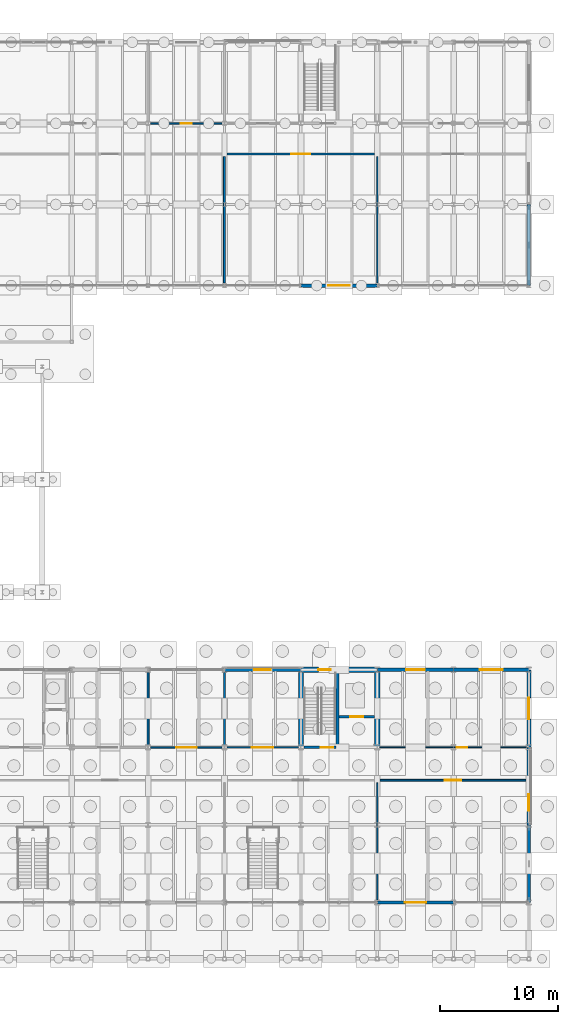
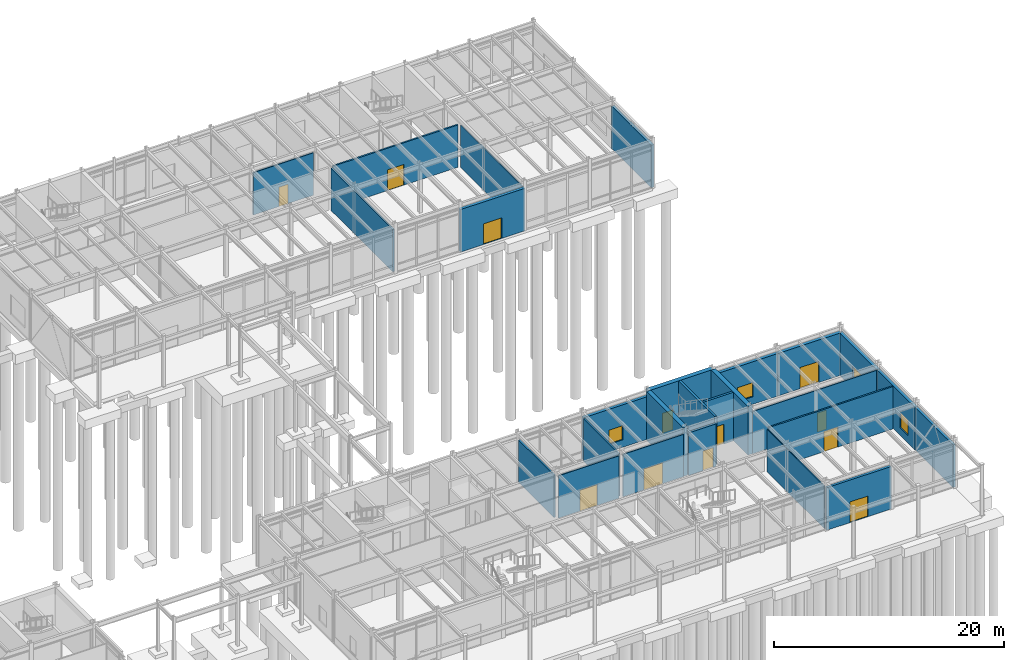
# One storey, part 74 of 82: 26 walls, 12 doors, 4 windows, 16 openings.
"""IFC4 building model written with IfcOpenShell, lengths in metres."""

import ifcopenshell
import ifcopenshell.guid

model = None  # the IFC model being written
_history = None  # IfcOwnerHistory: only IFC2X3 demands one
_inside = {}  # id of a spatial element -> (the spatial element, [elements in it])
_under = {}  # id of a project, library or spatial element -> (it, [spatial elements below it])
_declared = {}  # id of a project -> (the project, [libraries it declares])
_typed = {}  # id of a type object -> (the type object, [elements of that type])
_made_of = {}  # id of a material, layer set ... -> (it, [elements and type objects made of it])


def new_model(schema):
    """Start an empty IFC model of exactly this schema.

    Asked for "IFC4X3", IfcOpenShell would pick the latest addendum, in which some entities
    have other attributes; the version numbers below select the first issue.
    IFC2X3 requires an IfcOwnerHistory on every rooted entity: one is made here for all.
    """
    global model, _history
    if schema == "IFC4X3":
        model = ifcopenshell.file(schema_version=(4, 3, 0, 0))
    else:
        model = ifcopenshell.file(schema=schema)
    _inside.clear()
    _under.clear()
    _declared.clear()
    _typed.clear()
    _made_of.clear()
    _history = None
    if model.schema == "IFC2X3":
        org = make("IfcOrganization", Name="unknown")
        user = make(
            "IfcPersonAndOrganization",
            ThePerson=make("IfcPerson", FamilyName="unknown"),
            TheOrganization=org,
        )
        app = make(
            "IfcApplication",
            ApplicationDeveloper=org,
            Version="unknown",
            ApplicationFullName="unknown",
            ApplicationIdentifier="unknown",
        )
        _history = make(
            "IfcOwnerHistory",
            OwningUser=user,
            OwningApplication=app,
            ChangeAction="ADDED",
            CreationDate=0,
        )
    return model


def make(cls, **values):
    """One entity of the class cls with the attributes given. An attribute that is None is left unset."""
    return model.create_entity(
        cls, **{name: value for name, value in values.items() if value is not None}
    )


def rooted(cls, **values):
    """An entity with a GlobalId (a new one), such as an element, a storey or a relation."""
    return make(cls, GlobalId=ifcopenshell.guid.new(), OwnerHistory=_history, **values)


def si_unit(unit_type, name, prefix=None):
    """IfcSIUnit, for example si_unit("LENGTHUNIT", "METRE", prefix="MILLI")."""
    return make("IfcSIUnit", UnitType=unit_type, Prefix=prefix, Name=name)


def assignment(units):
    """IfcUnitAssignment: the units of a project."""
    return None if units is None else make("IfcUnitAssignment", Units=units)


def point(xyz):
    """IfcCartesianPoint."""
    return None if xyz is None else make("IfcCartesianPoint", Coordinates=xyz)


def direction(xyz):
    """IfcDirection."""
    return None if xyz is None else make("IfcDirection", DirectionRatios=xyz)


def frame(location, z_axis=None, x_axis=None):
    """IfcAxis2Placement3D, a coordinate frame: its origin and axes. An axis left out is left unset."""
    return make(
        "IfcAxis2Placement3D",
        Location=point(location),
        Axis=direction(z_axis),
        RefDirection=direction(x_axis),
    )


def frame_2d(location, x_axis=None):
    """IfcAxis2Placement2D, a coordinate frame in the plane: its origin and x axis."""
    return make(
        "IfcAxis2Placement2D", Location=point(location), RefDirection=direction(x_axis)
    )


def origin():
    """The frame at (0, 0, 0) with its axes left unset."""
    return frame((0.0, 0.0, 0.0))


def place(relative_to, where):
    """IfcLocalPlacement: puts the frame where relative to a parent placement (None: the world)."""
    return make(
        "IfcLocalPlacement", PlacementRelTo=relative_to, RelativePlacement=where
    )


def context(
    kind, dimensions, precision=None, world=None, true_north=None, identifier=None
):
    """IfcGeometricRepresentationContext, for example the 3D "Model" context."""
    return make(
        "IfcGeometricRepresentationContext",
        ContextIdentifier=identifier,
        ContextType=kind,
        CoordinateSpaceDimension=dimensions,
        Precision=precision,
        WorldCoordinateSystem=world,
        TrueNorth=true_north,
    )


def subcontext(parent, identifier, kind, view, scale=None):
    """IfcGeometricRepresentationSubContext, for example "Body" below "Model"."""
    return make(
        "IfcGeometricRepresentationSubContext",
        ContextIdentifier=identifier,
        ContextType=kind,
        ParentContext=parent,
        TargetScale=scale,
        TargetView=view,
    )


def project(units=None, contexts=None):
    """IfcProject with its units and contexts."""
    return rooted(
        "IfcProject",
        Name="project",
        RepresentationContexts=contexts,
        UnitsInContext=assignment(units),
    )


def spatial(cls, under=None, at=None, **own):
    """A site, building, storey or space (cls), placed at a placement, below another one or the project."""
    s = rooted(cls, ObjectPlacement=at, **own)
    if under is not None:
        _under.setdefault(under.id(), (under, []))[1].append(s)
    return s


def profile(cls, at=None, kind="AREA", **sizes):
    """A parametric profile (cls). Its sizes go by their IFC names, for example OverallWidth=200.0."""
    return make(cls, ProfileType=kind, Position=at, **sizes)


def rectangle(**sizes):
    """IfcRectangleProfileDef."""
    return profile("IfcRectangleProfileDef", **sizes)


def extrude(swept, where, along, depth):
    """IfcExtrudedAreaSolid: the profile swept, set in the frame where, extruded along a direction by depth."""
    return make(
        "IfcExtrudedAreaSolid",
        SweptArea=swept,
        Position=where,
        ExtrudedDirection=direction(along),
        Depth=depth,
    )


def shape(context_of_items, identifier, shape_type, items):
    """IfcShapeRepresentation: the items that make up one representation, for example the "Body"."""
    return make(
        "IfcShapeRepresentation",
        ContextOfItems=context_of_items,
        RepresentationIdentifier=identifier,
        RepresentationType=shape_type,
        Items=items,
    )


def material(Name=None, Category=None):
    """IfcMaterial."""
    return make("IfcMaterial", Name=Name, Category=Category)


def layer(
    of_material, thickness, ventilated=None, Name=None, Category=None, Priority=None
):
    """IfcMaterialLayer: one layer of a wall or slab, of a material (None: an air gap)."""
    return make(
        "IfcMaterialLayer",
        Material=of_material,
        LayerThickness=thickness,
        IsVentilated=ventilated,
        Name=Name,
        Category=Category,
        Priority=Priority,
    )


def layer_set(layers, Name=None):
    """IfcMaterialLayerSet."""
    return make("IfcMaterialLayerSet", MaterialLayers=layers, LayerSetName=Name)


def made_of(thing, what):
    """Note that an element or type object is made of a material, layer set ...; save() writes the relation."""
    if what is not None:
        _made_of.setdefault(what.id(), (what, []))[1].append(thing)
    return thing


def type_object(cls, material=None, **own):
    """A type object (cls), such as IfcWallType, which elements share."""
    return made_of(rooted(cls, **own), material)


def element(
    cls,
    number,
    at=None,
    inside=None,
    cuts=None,
    type_object=None,
    material=None,
    context=None,
    identifier="Body",
    shape_type=None,
    held_by="IfcProductDefinitionShape",
    body=None,
    shapes=None,
    **own,
):
    """One element of the class cls, such as IfcWall. Its Tag is "e" and its number.

    at: its placement. inside: the storey or other place that contains it. cuts: it is an
    opening in that element (IfcRelVoidsElement). A single representation is given by context,
    identifier, shape_type and body (its items); several are given by shapes. held_by: the class
    of the entity that holds the representations. save() writes the other relations.
    """
    e = rooted(cls, Tag="e%d" % number, ObjectPlacement=at, **own)
    if body is not None:
        shapes = [shape(context, identifier, shape_type, body)]
    if shapes is not None:
        e.Representation = make(held_by, Representations=shapes)
    if inside is not None:
        _inside.setdefault(inside.id(), (inside, []))[1].append(e)
    if cuts is not None:
        rooted(
            "IfcRelVoidsElement", RelatingBuildingElement=cuts, RelatedOpeningElement=e
        )
    if type_object is not None:
        _typed.setdefault(type_object.id(), (type_object, []))[1].append(e)
    return made_of(e, material)


def fill(opening, filler):
    """IfcRelFillsElement: the door or window that sits in an opening."""
    return rooted(
        "IfcRelFillsElement",
        RelatingOpeningElement=opening,
        RelatedBuildingElement=filler,
    )


def aggregate(whole, parts):
    """IfcRelAggregates: a whole, such as a stair, and the parts it consists of."""
    return rooted("IfcRelAggregates", RelatingObject=whole, RelatedObjects=parts)


def save(model, path):
    """Write the relations noted so far, then the file.

    IfcRelAggregates (storeys below a building ...), IfcRelContainedInSpatialStructure (elements
    in a storey), IfcRelDefinesByType, IfcRelAssociatesMaterial and IfcRelDeclares: one each for
    every whole, place, type object, material and project.
    """
    for whole, parts in _under.values():
        aggregate(whole, parts)
    for where, things in _inside.values():
        rooted(
            "IfcRelContainedInSpatialStructure",
            RelatedElements=things,
            RelatingStructure=where,
        )
    for kind, things in _typed.values():
        rooted("IfcRelDefinesByType", RelatedObjects=things, RelatingType=kind)
    for what, things in _made_of.values():
        rooted("IfcRelAssociatesMaterial", RelatedObjects=things, RelatingMaterial=what)
    for by, libraries in _declared.values():
        rooted("IfcRelDeclares", RelatingContext=by, RelatedDefinitions=libraries)
    model.write(path)


model = new_model("IFC4")

# Units and contexts
model_context = context("Model", 3, precision=1e-05, world=origin(), true_north=direction((0.0, 1.0)))
body_context = subcontext(model_context, "Body", "Model", "MODEL_VIEW")
ifc_project = project(units=[si_unit("LENGTHUNIT", "METRE"), si_unit("AREAUNIT", "SQUARE_METRE"), si_unit("VOLUMEUNIT", "CUBIC_METRE"), si_unit("PLANEANGLEUNIT", "RADIAN"), si_unit("MASSUNIT", "GRAM", prefix="KILO")], contexts=[model_context])

# Site, building, storey
site_placement = place(None, origin())
site = spatial("IfcSite", under=ifc_project, at=site_placement, CompositionType="ELEMENT")
building_placement = place(site_placement, origin())
building = spatial("IfcBuilding", under=site, at=building_placement, Name="Trelmorton Wharf Fire Station", CompositionType="ELEMENT")
storey_placement = place(building_placement, origin())
storey = spatial("IfcBuildingStorey", under=building, at=storey_placement, Name="L00", CompositionType="ELEMENT", Elevation=0.0)

# Wall, opening, door
ifc_material_1 = material(Name="Precast concrete 45 MPa", Category="concrete")
ifc_layer_1 = layer(ifc_material_1, 0.25)
ifc_layer_set_1 = layer_set([ifc_layer_1], Name="Precast concrete 45 MPa")
wall_type_1 = type_object("IfcWallType", Name="EW_PREC_250", PredefinedType="SOLIDWALL", material=ifc_layer_set_1)
wall_1_placement = place(storey_placement, frame((155.9951171875, 7.800048828125, 0.0), z_axis=(0.0, 0.0, 1.0), x_axis=(-1.0, 0.0, 0.0)))
wall_1 = element("IfcWall", 1, at=wall_1_placement, inside=storey, type_object=wall_type_1, Name="EW-V5-L00-0067", PredefinedType="SOLIDWALL", context=body_context, shape_type="SweptSolid", body=[
    extrude(rectangle(XDim=6.490234375, YDim=0.25, at=frame_2d((3.2451171875, 0.0))), origin(), (0.0, 0.0, 1.0), 4.52001953125),
])
opening_1_placement = place(wall_1_placement, frame((2.3349609375, 0.0, 0.0)))
opening_1 = element("IfcOpeningElement", 2, at=opening_1_placement, cuts=wall_1, Name="Opening E-012", PredefinedType="OPENING", context=body_context, shape_type="SweptSolid", body=[
    extrude(rectangle(XDim=1.820068359375, YDim=2.199951171875, at=frame_2d((0.91015625, 1.10009765625))), frame((0.0, 0.135009765625, 0.0), z_axis=(0.0, -1.0, 0.0), x_axis=(1.0, 0.0, 0.0)), (0.0, 0.0, 1.0), 0.27001953125),
])
ifc_material_2 = material(Name="Anodised aluminium AW-6063", Category="aluminium")
door_type_1 = type_object("IfcDoorType", Name="DR_EXT_DBL_182", OperationType="DOUBLE_DOOR_SINGLE_SWING", PredefinedType="DOOR", material=ifc_material_2)
door_1_placement = place(opening_1_placement, origin())
door_1 = element("IfcDoor", 3, at=door_1_placement, inside=storey, type_object=door_type_1, Name="Final Exit Door E-012", OperationType="DOUBLE_DOOR_SINGLE_SWING", OverallHeight=2.199951171875, OverallWidth=1.820068359375, PredefinedType="DOOR", context=body_context, shape_type="SweptSolid", body=[
    extrude(rectangle(XDim=1.820068359375, YDim=2.199951171875, at=frame_2d((0.91015625, 1.10009765625))), frame((0.0, 0.02490234375, 0.0), z_axis=(0.0, -1.0, 0.0), x_axis=(1.0, 0.0, 0.0)), (0.0, 0.0, 1.0), 0.050048828125),
])
fill(opening_1, door_1)

# Wall
wall_2_placement = place(storey_placement, frame((162.39990234375, 14.39501953125, 0.0), z_axis=(0.0, 0.0, 1.0), x_axis=(0.0, -1.0, 0.0)))
element("IfcWall", 4, at=wall_2_placement, inside=storey, type_object=wall_type_1, Name="EW-V5-L00-0073", PredefinedType="SOLIDWALL", context=body_context, shape_type="SweptSolid", body=[
    extrude(rectangle(XDim=6.590087890625, YDim=0.25, at=frame_2d((3.294921875, 0.0))), origin(), (0.0, 0.0, 1.0), 4.52001953125),
])

# Wall, opening, window
ifc_layer_2 = layer(ifc_material_1, 0.2900390625)
ifc_layer_set_2 = layer_set([ifc_layer_2], Name="Precast concrete 45 MPa")
wall_type_2 = type_object("IfcWallType", Name="EW_TERR_290", PredefinedType="SOLIDWALL", material=ifc_layer_set_2)
wall_3_placement = place(storey_placement, frame((136.5048828125, 27.60009765625, 0.0), z_axis=(0.0, 0.0, 1.0), x_axis=(1.0, 0.0, 0.0)))
wall_3 = element("IfcWall", 5, at=wall_3_placement, inside=storey, type_object=wall_type_2, Name="EW-V5-L00-0069", PredefinedType="SOLIDWALL", context=body_context, shape_type="SweptSolid", body=[
    extrude(rectangle(XDim=6.490234375, YDim=0.2900390625, at=frame_2d((3.2451171875, 0.0))), origin(), (0.0, 0.0, 1.0), 4.52001953125),
])
opening_2_placement = place(wall_3_placement, frame((2.544921875, 0.0, 0.800048828125)))
opening_2 = element("IfcOpeningElement", 6, at=opening_2_placement, cuts=wall_3, Name="Opening W35", PredefinedType="OPENING", context=body_context, shape_type="SweptSolid", body=[
    extrude(rectangle(XDim=1.39990234375, YDim=1.5, at=frame_2d((0.699951171875, 0.75))), frame((0.0, 0.155029296875, 0.0), z_axis=(0.0, -1.0, 0.0), x_axis=(1.0, 0.0, 0.0)), (0.0, 0.0, 1.0), 0.31005859375),
])
ifc_material_3 = material(Name="Tempered low-E double glazing", Category="glass")
window_type_1 = type_object("IfcWindowType", Name="WIN_W35", PartitioningType="SINGLE_PANEL", PredefinedType="WINDOW", material=ifc_material_3)
window_1_placement = place(opening_2_placement, origin())
window_1 = element("IfcWindow", 7, at=window_1_placement, inside=storey, type_object=window_type_1, Name="WN-V5-L00-0024", OverallHeight=1.5, OverallWidth=1.39990234375, PartitioningType="SINGLE_PANEL", PredefinedType="WINDOW", context=body_context, shape_type="SweptSolid", body=[
    extrude(rectangle(XDim=1.39990234375, YDim=1.5, at=frame_2d((0.699951171875, 0.75))), frame((0.0, 0.030029296875, 0.0), z_axis=(0.0, -1.0, 0.0), x_axis=(1.0, 0.0, 0.0)), (0.0, 0.0, 1.0), 0.06005859375),
])
fill(opening_2, window_1)

wall_4_placement = place(storey_placement, frame((162.39990234375, 20.9951171875, 0.0), z_axis=(0.0, 0.0, 1.0), x_axis=(0.0, -1.0, 0.0)))
wall_4 = element("IfcWall", 8, at=wall_4_placement, inside=storey, type_object=wall_type_2, Name="EW-V5-L00-0075", PredefinedType="SOLIDWALL", context=body_context, shape_type="SweptSolid", body=[
    extrude(rectangle(XDim=6.590087890625, YDim=0.2900390625, at=frame_2d((3.294921875, 0.0))), origin(), (0.0, 0.0, 1.0), 4.52001953125),
])
opening_3_placement = place(wall_4_placement, frame((3.9775390625, 0.0, 0.800048828125)))
opening_3 = element("IfcOpeningElement", 9, at=opening_3_placement, cuts=wall_4, Name="Opening W39", PredefinedType="OPENING", context=body_context, shape_type="SweptSolid", body=[
    extrude(rectangle(XDim=1.39990234375, YDim=1.64990234375, at=frame_2d((0.699951171875, 0.824951171875))), frame((0.0, 0.155029296875, 0.0), z_axis=(0.0, -1.0, 0.0), x_axis=(1.0, 0.0, 0.0)), (0.0, 0.0, 1.0), 0.31005859375),
])
window_type_2 = type_object("IfcWindowType", Name="WIN_W39", PartitioningType="SINGLE_PANEL", PredefinedType="WINDOW", material=ifc_material_3)
window_2_placement = place(opening_3_placement, origin())
window_2 = element("IfcWindow", 10, at=window_2_placement, inside=storey, type_object=window_type_2, Name="WN-V5-L00-0028", OverallHeight=1.64990234375, OverallWidth=1.39990234375, PartitioningType="SINGLE_PANEL", PredefinedType="WINDOW", context=body_context, shape_type="SweptSolid", body=[
    extrude(rectangle(XDim=1.39990234375, YDim=1.64990234375, at=frame_2d((0.699951171875, 0.824951171875))), frame((0.0, 0.030029296875, 0.0), z_axis=(0.0, -1.0, 0.0), x_axis=(1.0, 0.0, 0.0)), (0.0, 0.0, 1.0), 0.06005859375),
])
fill(opening_3, window_2)

# Wall, opening, door
wall_5_placement = place(storey_placement, frame((149.4951171875, 60.300048828125, 0.0), z_axis=(0.0, 0.0, 1.0), x_axis=(-1.0, 0.0, 0.0)))
wall_5 = element("IfcWall", 11, at=wall_5_placement, inside=storey, type_object=wall_type_2, Name="EW-V4-L00-0201", PredefinedType="SOLIDWALL", context=body_context, shape_type="SweptSolid", body=[
    extrude(rectangle(XDim=6.490234375, YDim=0.2900390625, at=frame_2d((3.2451171875, 0.0))), origin(), (0.0, 0.0, 1.0), 4.52001953125),
])
opening_4_placement = place(wall_5_placement, frame((2.3349609375, 0.0, 0.0)))
opening_4 = element("IfcOpeningElement", 12, at=opening_4_placement, cuts=wall_5, Name="Opening E-032", PredefinedType="OPENING", context=body_context, shape_type="SweptSolid", body=[
    extrude(rectangle(XDim=1.820068359375, YDim=2.199951171875, at=frame_2d((0.91015625, 1.10009765625))), frame((0.0, 0.155029296875, 0.0), z_axis=(0.0, -1.0, 0.0), x_axis=(1.0, 0.0, 0.0)), (0.0, 0.0, 1.0), 0.31005859375),
])
door_2_placement = place(opening_4_placement, origin())
door_2 = element("IfcDoor", 13, at=door_2_placement, inside=storey, type_object=door_type_1, Name="Final Exit Door E-032", OperationType="DOUBLE_DOOR_SINGLE_SWING", OverallHeight=2.199951171875, OverallWidth=1.820068359375, PredefinedType="DOOR", context=body_context, shape_type="SweptSolid", body=[
    extrude(rectangle(XDim=1.820068359375, YDim=2.199951171875, at=frame_2d((0.91015625, 1.10009765625))), frame((0.0, 0.02490234375, 0.0), z_axis=(0.0, -1.0, 0.0), x_axis=(1.0, 0.0, 0.0)), (0.0, 0.0, 1.0), 0.050048828125),
])
fill(opening_4, door_2)

# Wall
wall_6_placement = place(storey_placement, frame((162.39990234375, 67.195068359375, 0.0), z_axis=(0.0, 0.0, 1.0), x_axis=(0.0, -1.0, 0.0)))
element("IfcWall", 14, at=wall_6_placement, inside=storey, type_object=wall_type_2, Name="EW-V4-L00-0207", PredefinedType="SOLIDWALL", context=body_context, shape_type="SweptSolid", body=[
    extrude(rectangle(XDim=6.89013671875, YDim=0.2900390625, at=frame_2d((3.445068359375, 0.0))), origin(), (0.0, 0.0, 1.0), 4.52001953125),
])

# Wall, opening, window
ifc_layer_3 = layer(ifc_material_1, 0.31005859375)
ifc_layer_set_3 = layer_set([ifc_layer_3], Name="Precast concrete 45 MPa")
wall_type_3 = type_object("IfcWallType", Name="EW_TERR_310", PredefinedType="SOLIDWALL", material=ifc_layer_set_3)
wall_7_placement = place(storey_placement, frame((149.5048828125, 27.60009765625, 0.0), z_axis=(0.0, 0.0, 1.0), x_axis=(1.0, 0.0, 0.0)))
wall_7 = element("IfcWall", 15, at=wall_7_placement, inside=storey, type_object=wall_type_3, Name="EW-V5-L00-0070", PredefinedType="SOLIDWALL", context=body_context, shape_type="SweptSolid", body=[
    extrude(rectangle(XDim=6.490234375, YDim=0.31005859375, at=frame_2d((3.2451171875, 0.0))), origin(), (0.0, 0.0, 1.0), 4.52001953125),
])
opening_5_placement = place(wall_7_placement, frame((2.469970703125, 0.0, 0.800048828125)))
opening_5 = element("IfcOpeningElement", 16, at=opening_5_placement, cuts=wall_7, Name="Opening W36", PredefinedType="OPENING", context=body_context, shape_type="SweptSolid", body=[
    extrude(rectangle(XDim=1.550048828125, YDim=1.5, at=frame_2d((0.77490234375, 0.75))), frame((0.0, 0.1650390625, 0.0), z_axis=(0.0, -1.0, 0.0), x_axis=(1.0, 0.0, 0.0)), (0.0, 0.0, 1.0), 0.330078125),
])
window_type_3 = type_object("IfcWindowType", Name="WIN_W36", PartitioningType="SINGLE_PANEL", PredefinedType="WINDOW", material=ifc_material_3)
window_3_placement = place(opening_5_placement, origin())
window_3 = element("IfcWindow", 17, at=window_3_placement, inside=storey, type_object=window_type_3, Name="WN-V5-L00-0025", OverallHeight=1.5, OverallWidth=1.550048828125, PartitioningType="SINGLE_PANEL", PredefinedType="WINDOW", context=body_context, shape_type="SweptSolid", body=[
    extrude(rectangle(XDim=1.550048828125, YDim=1.5, at=frame_2d((0.77490234375, 0.75))), frame((0.0, 0.030029296875, 0.0), z_axis=(0.0, -1.0, 0.0), x_axis=(1.0, 0.0, 0.0)), (0.0, 0.0, 1.0), 0.06005859375),
])
fill(opening_5, window_3)

# Wall, opening, door
ifc_layer_4 = layer(ifc_material_1, 0.330078125)
ifc_layer_set_4 = layer_set([ifc_layer_4], Name="Precast concrete 45 MPa")
wall_type_4 = type_object("IfcWallType", Name="EW_TERR_330", PredefinedType="SOLIDWALL", material=ifc_layer_set_4)
wall_8_placement = place(storey_placement, frame((156.0048828125, 27.60009765625, 0.0), z_axis=(0.0, 0.0, 1.0), x_axis=(1.0, 0.0, 0.0)))
wall_8 = element("IfcWall", 18, at=wall_8_placement, inside=storey, type_object=wall_type_4, Name="EW-V5-L00-0071", PredefinedType="SOLIDWALL", context=body_context, shape_type="SweptSolid", body=[
    extrude(rectangle(XDim=6.39013671875, YDim=0.330078125, at=frame_2d((3.195068359375, 0.0))), origin(), (0.0, 0.0, 1.0), 4.52001953125),
])
opening_6_placement = place(wall_8_placement, frame((2.235107421875, 0.0, 0.0)))
opening_6 = element("IfcOpeningElement", 19, at=opening_6_placement, cuts=wall_8, Name="Opening E-014", PredefinedType="OPENING", context=body_context, shape_type="SweptSolid", body=[
    extrude(rectangle(XDim=1.919921875, YDim=2.25, at=frame_2d((0.9599609375, 1.125))), frame((0.0, 0.175048828125, 0.0), z_axis=(0.0, -1.0, 0.0), x_axis=(1.0, 0.0, 0.0)), (0.0, 0.0, 1.0), 0.35009765625),
])
door_type_2 = type_object("IfcDoorType", Name="DR_EXT_DBL_192", OperationType="DOUBLE_DOOR_SINGLE_SWING", PredefinedType="DOOR", material=ifc_material_2)
door_3_placement = place(opening_6_placement, origin())
door_3 = element("IfcDoor", 20, at=door_3_placement, inside=storey, type_object=door_type_2, Name="Final Exit Door E-014", OperationType="DOUBLE_DOOR_SINGLE_SWING", OverallHeight=2.25, OverallWidth=1.919921875, PredefinedType="DOOR", context=body_context, shape_type="SweptSolid", body=[
    extrude(rectangle(XDim=1.919921875, YDim=2.25, at=frame_2d((0.9599609375, 1.125))), frame((0.0, 0.02490234375, 0.0), z_axis=(0.0, -1.0, 0.0), x_axis=(1.0, 0.0, 0.0)), (0.0, 0.0, 1.0), 0.050048828125),
])
fill(opening_6, door_3)

# Wall, opening, window
wall_9_placement = place(storey_placement, frame((162.39990234375, 27.594970703125, 0.0), z_axis=(0.0, 0.0, 1.0), x_axis=(0.0, -1.0, 0.0)))
wall_9 = element("IfcWall", 21, at=wall_9_placement, inside=storey, type_object=wall_type_4, Name="EW-V5-L00-0077", PredefinedType="SOLIDWALL", context=body_context, shape_type="SweptSolid", body=[
    extrude(rectangle(XDim=6.590087890625, YDim=0.330078125, at=frame_2d((3.294921875, 0.0))), origin(), (0.0, 0.0, 1.0), 4.52001953125),
])
opening_7_placement = place(wall_9_placement, frame((2.3701171875, 0.0, 0.800048828125)))
opening_7 = element("IfcOpeningElement", 22, at=opening_7_placement, cuts=wall_9, Name="Opening W41", PredefinedType="OPENING", context=body_context, shape_type="SweptSolid", body=[
    extrude(rectangle(XDim=1.85009765625, YDim=1.550048828125, at=frame_2d((0.925048828125, 0.77490234375))), frame((0.0, 0.175048828125, 0.0), z_axis=(0.0, -1.0, 0.0), x_axis=(1.0, 0.0, 0.0)), (0.0, 0.0, 1.0), 0.35009765625),
])
window_type_4 = type_object("IfcWindowType", Name="WIN_W41", PartitioningType="DOUBLE_PANEL_VERTICAL", PredefinedType="WINDOW", material=ifc_material_3)
window_4_placement = place(opening_7_placement, origin())
window_4 = element("IfcWindow", 23, at=window_4_placement, inside=storey, type_object=window_type_4, Name="WN-V5-L00-0030", OverallHeight=1.550048828125, OverallWidth=1.85009765625, PartitioningType="DOUBLE_PANEL_VERTICAL", PredefinedType="WINDOW", context=body_context, shape_type="SweptSolid", body=[
    extrude(rectangle(XDim=1.85009765625, YDim=1.550048828125, at=frame_2d((0.925048828125, 0.77490234375))), frame((0.0, 0.030029296875, 0.0), z_axis=(0.0, -1.0, 0.0), x_axis=(1.0, 0.0, 0.0)), (0.0, 0.0, 1.0), 0.06005859375),
])
fill(opening_7, window_4)

# Wall
ifc_material_4 = material(Name="Gypsum plasterboard partition")
ifc_layer_5 = layer(ifc_material_4, 0.14990234375)
ifc_layer_set_5 = layer_set([ifc_layer_5], Name="Gypsum plasterboard partition")
wall_type_5 = type_object("IfcWallType", Name="IW_ACOU_150", PredefinedType="PARTITIONING", material=ifc_layer_set_5)
wall_10_placement = place(storey_placement, frame((136.5, 21.219970703125, 0.0), z_axis=(0.0, 0.0, 1.0), x_axis=(0.0, 1.0, 0.0)))
element("IfcWall", 24, at=wall_10_placement, inside=storey, type_object=wall_type_5, Name="IW-L00-0030", PredefinedType="PARTITIONING", context=body_context, shape_type="SweptSolid", body=[
    extrude(rectangle(XDim=6.159912109375, YDim=0.14990234375, at=frame_2d((3.080078125, 0.0))), origin(), (0.0, 0.0, 1.0), 4.5),
])

# Wall, opening, door
ifc_layer_6 = layer(ifc_material_4, 0.159912109375)
ifc_layer_set_6 = layer_set([ifc_layer_6], Name="Gypsum plasterboard partition")
wall_type_6 = type_object("IfcWallType", Name="IW_ACOU_160", PredefinedType="PARTITIONING", material=ifc_layer_set_6)
wall_11_placement = place(storey_placement, frame((149.719970703125, 18.199951171875, 0.0), z_axis=(0.0, 0.0, 1.0), x_axis=(1.0, 0.0, 0.0)))
wall_11 = element("IfcWall", 25, at=wall_11_placement, inside=storey, type_object=wall_type_6, Name="IW-L00-0022", PredefinedType="PARTITIONING", context=body_context, shape_type="SweptSolid", body=[
    extrude(rectangle(XDim=12.4599609375, YDim=0.159912109375, at=frame_2d((6.22998046875, 0.0))), origin(), (0.0, 0.0, 1.0), 4.5),
])
opening_8_placement = place(wall_11_placement, frame((5.52001953125, 0.0, 0.0)))
opening_8 = element("IfcOpeningElement", 26, at=opening_8_placement, cuts=wall_11, Name="Opening D-015", PredefinedType="OPENING", context=body_context, shape_type="SweptSolid", body=[
    extrude(rectangle(XDim=1.419921875, YDim=2.14990234375, at=frame_2d((0.7099609375, 1.074951171875))), frame((0.0, 0.08984375, 0.0), z_axis=(0.0, -1.0, 0.0), x_axis=(1.0, 0.0, 0.0)), (0.0, 0.0, 1.0), 0.179931640625),
])
ifc_material_5 = material(Name="Acoustic timber panelling", Category="wood")
door_type_3 = type_object("IfcDoorType", Name="DR_INT_142", OperationType="DOUBLE_DOOR_SINGLE_SWING", PredefinedType="DOOR", material=ifc_material_5)
door_4_placement = place(opening_8_placement, origin())
door_4 = element("IfcDoor", 27, at=door_4_placement, inside=storey, type_object=door_type_3, Name="Interior Door D-015", OperationType="DOUBLE_DOOR_SINGLE_SWING", OverallHeight=2.14990234375, OverallWidth=1.419921875, PredefinedType="DOOR", context=body_context, shape_type="SweptSolid", body=[
    extrude(rectangle(XDim=1.419921875, YDim=2.14990234375, at=frame_2d((0.7099609375, 1.074951171875))), frame((0.0, 0.02490234375, 0.0), z_axis=(0.0, -1.0, 0.0), x_axis=(1.0, 0.0, 0.0)), (0.0, 0.0, 1.0), 0.050048828125),
])
fill(opening_8, door_4)

# Wall
wall_12_placement = place(storey_placement, frame((130.0, 21.219970703125, 0.0), z_axis=(0.0, 0.0, 1.0), x_axis=(0.0, 1.0, 0.0)))
element("IfcWall", 28, at=wall_12_placement, inside=storey, type_object=wall_type_6, Name="IW-L00-0029", PredefinedType="PARTITIONING", context=body_context, shape_type="SweptSolid", body=[
    extrude(rectangle(XDim=6.159912109375, YDim=0.159912109375, at=frame_2d((3.080078125, 0.0))), origin(), (0.0, 0.0, 1.0), 4.5),
])

# Wall, opening, door
wall_13_placement = place(storey_placement, frame((136.719970703125, 71.5, 0.0), z_axis=(0.0, 0.0, 1.0), x_axis=(1.0, 0.0, 0.0)))
wall_13 = element("IfcWall", 29, at=wall_13_placement, inside=storey, type_object=wall_type_6, Name="IW-L00-0057", PredefinedType="PARTITIONING", context=body_context, shape_type="SweptSolid", body=[
    extrude(rectangle(XDim=12.56005859375, YDim=0.159912109375, at=frame_2d((6.280029296875, 0.0))), origin(), (0.0, 0.0, 1.0), 4.5),
])
opening_9_placement = place(wall_13_placement, frame((5.4599609375, 0.0, 0.0)))
opening_9 = element("IfcOpeningElement", 30, at=opening_9_placement, cuts=wall_13, Name="Opening D-038", PredefinedType="OPENING", context=body_context, shape_type="SweptSolid", body=[
    extrude(rectangle(XDim=1.639892578125, YDim=2.199951171875, at=frame_2d((0.81982421875, 1.10009765625))), frame((0.0, 0.08984375, 0.0), z_axis=(0.0, -1.0, 0.0), x_axis=(1.0, 0.0, 0.0)), (0.0, 0.0, 1.0), 0.179931640625),
])
door_type_4 = type_object("IfcDoorType", Name="DR_INT_164", OperationType="DOUBLE_DOOR_SINGLE_SWING", PredefinedType="DOOR", material=ifc_material_5)
door_5_placement = place(opening_9_placement, origin())
door_5 = element("IfcDoor", 31, at=door_5_placement, inside=storey, type_object=door_type_4, Name="Interior Door D-038", OperationType="DOUBLE_DOOR_SINGLE_SWING", OverallHeight=2.199951171875, OverallWidth=1.639892578125, PredefinedType="DOOR", context=body_context, shape_type="SweptSolid", body=[
    extrude(rectangle(XDim=1.639892578125, YDim=2.199951171875, at=frame_2d((0.81982421875, 1.10009765625))), frame((0.0, 0.02490234375, 0.0), z_axis=(0.0, -1.0, 0.0), x_axis=(1.0, 0.0, 0.0)), (0.0, 0.0, 1.0), 0.050048828125),
])
fill(opening_9, door_5)

# Wall
ifc_material_6 = material(Name="Concrete 40 MPa", Category="concrete")
ifc_layer_7 = layer(ifc_material_6, 0.219970703125)
ifc_layer_set_7 = layer_set([ifc_layer_7], Name="Concrete 40 MPa")
wall_type_7 = type_object("IfcWallType", Name="IW_CORE_220", PredefinedType="SOLIDWALL", material=ifc_layer_set_7)
wall_14_placement = place(storey_placement, frame((146.1201171875, 21.1201171875, 0.0), z_axis=(0.0, 0.0, 1.0), x_axis=(0.0, 1.0, 0.0)))
element("IfcWall", 32, at=wall_14_placement, inside=storey, type_object=wall_type_7, Name="IW-C4-DIV-L00", PredefinedType="SOLIDWALL", context=body_context, shape_type="SweptSolid", body=[
    extrude(rectangle(XDim=6.2548828125, YDim=0.219970703125, at=frame_2d((3.12744140625, 0.0))), origin(), (0.0, 0.0, 1.0), 5.159912109375),
])

# Wall, opening, door
wall_15_placement = place(storey_placement, frame((143.260009765625, 21.0, 0.0), z_axis=(0.0, 0.0, 1.0), x_axis=(1.0, 0.0, 0.0)))
wall_15 = element("IfcWall", 33, at=wall_15_placement, inside=storey, type_object=wall_type_7, Name="IW-C4-SF-L00", PredefinedType="SOLIDWALL", context=body_context, shape_type="SweptSolid", body=[
    extrude(rectangle(XDim=2.739990234375, YDim=0.219970703125, at=frame_2d((1.3701171875, 0.0))), origin(), (0.0, 0.0, 1.0), 4.52001953125),
])
opening_10_placement = place(wall_15_placement, frame((1.43994140625, 0.0, 0.0)))
opening_10 = element("IfcOpeningElement", 34, at=opening_10_placement, cuts=wall_15, Name="Opening FD-017", PredefinedType="OPENING", context=body_context, shape_type="SweptSolid", body=[
    extrude(rectangle(XDim=1.06005859375, YDim=2.10009765625, at=frame_2d((0.530029296875, 1.050048828125))), frame((0.0, 0.1201171875, 0.0), z_axis=(0.0, -1.0, 0.0), x_axis=(1.0, 0.0, 0.0)), (0.0, 0.0, 1.0), 0.239990234375),
])
ifc_material_7 = material(Name="Stainless steel 316 marine grade", Category="steel")
door_type_5 = type_object("IfcDoorType", Name="DR_FIRE_106", OperationType="NOTDEFINED", PredefinedType="DOOR", material=ifc_material_7)
door_6_placement = place(opening_10_placement, origin())
door_6 = element("IfcDoor", 35, at=door_6_placement, inside=storey, type_object=door_type_5, Name="Stair Fire Door FD-017", OperationType="SINGLE_SWING_RIGHT", OverallHeight=2.10009765625, OverallWidth=1.06005859375, PredefinedType="DOOR", context=body_context, shape_type="SweptSolid", body=[
    extrude(rectangle(XDim=1.06005859375, YDim=2.10009765625, at=frame_2d((0.530029296875, 1.050048828125))), frame((0.0, 0.02490234375, 0.0), z_axis=(0.0, -1.0, 0.0), x_axis=(1.0, 0.0, 0.0)), (0.0, 0.0, 1.0), 0.050048828125),
])
fill(opening_10, door_6)

wall_16_placement = place(storey_placement, frame((146.239990234375, 23.60009765625, 0.0), z_axis=(0.0, 0.0, 1.0), x_axis=(1.0, 0.0, 0.0)))
wall_16 = element("IfcWall", 36, at=wall_16_placement, inside=storey, type_object=wall_type_7, Name="IW-C4-LSH-L00", PredefinedType="SOLIDWALL", context=body_context, shape_type="SweptSolid", body=[
    extrude(rectangle(XDim=3.034912109375, YDim=0.219970703125, at=frame_2d((1.517578125, 0.0))), origin(), (0.0, 0.0, 1.0), 5.159912109375),
])
opening_11_placement = place(wall_16_placement, frame((0.967529296875, 0.0, 0.0)))
opening_11 = element("IfcOpeningElement", 37, at=opening_11_placement, cuts=wall_16, Name="Opening LD-017", PredefinedType="OPENING", context=body_context, shape_type="SweptSolid", body=[
    extrude(rectangle(XDim=1.10009765625, YDim=2.10009765625, at=frame_2d((0.550048828125, 1.050048828125))), frame((0.0, 0.1201171875, 0.0), z_axis=(0.0, -1.0, 0.0), x_axis=(1.0, 0.0, 0.0)), (0.0, 0.0, 1.0), 0.239990234375),
])
door_type_6 = type_object("IfcDoorType", Name="DR_LIFT_110", OperationType="DOUBLE_DOOR_SLIDING", PredefinedType="DOOR", material=ifc_material_7)
door_7_placement = place(opening_11_placement, origin())
door_7 = element("IfcDoor", 38, at=door_7_placement, inside=storey, type_object=door_type_6, Name="Lift Landing Door LD-017", OperationType="DOUBLE_DOOR_SLIDING", OverallHeight=2.10009765625, OverallWidth=1.10009765625, PredefinedType="DOOR", context=body_context, shape_type="SweptSolid", body=[
    extrude(rectangle(XDim=1.10009765625, YDim=2.10009765625, at=frame_2d((0.550048828125, 1.050048828125))), frame((0.0, 0.02490234375, 0.0), z_axis=(0.0, -1.0, 0.0), x_axis=(1.0, 0.0, 0.0)), (0.0, 0.0, 1.0), 0.050048828125),
])
fill(opening_11, door_7)

# Walls
ifc_layer_8 = layer(ifc_material_1, 0.169921875)
ifc_layer_set_8 = layer_set([ifc_layer_8], Name="Precast concrete 45 MPa")
wall_type_8 = type_object("IfcWallType", Name="IW_FIRE_170", PredefinedType="PARTITIONING", material=ifc_layer_set_8)
wall_17_placement = place(storey_placement, frame((136.5, 60.52001953125, 0.0), z_axis=(0.0, 0.0, 1.0), x_axis=(0.0, 1.0, 0.0)))
element("IfcWall", 39, at=wall_17_placement, inside=storey, type_object=wall_type_8, Name="IW-L00-0054", PredefinedType="PARTITIONING", context=body_context, shape_type="SweptSolid", body=[
    extrude(rectangle(XDim=10.760009765625, YDim=0.169921875, at=frame_2d((5.3798828125, 0.0))), origin(), (0.0, 0.0, 1.0), 4.5),
])
ifc_layer_9 = layer(ifc_material_5, 0.090087890625)
ifc_layer_set_9 = layer_set([ifc_layer_9], Name="Acoustic timber panelling")
wall_type_9 = type_object("IfcWallType", Name="IW_MOVE_090", PredefinedType="MOVABLE", material=ifc_layer_set_9)
wall_18_placement = place(storey_placement, frame((149.5, 8.02001953125, 0.0), z_axis=(0.0, 0.0, 1.0), x_axis=(0.0, 1.0, 0.0)))
element("IfcWall", 40, at=wall_18_placement, inside=storey, type_object=wall_type_9, Name="IW-L00-0020", PredefinedType="MOVABLE", context=body_context, shape_type="SweptSolid", body=[
    extrude(rectangle(XDim=9.9599609375, YDim=0.090087890625, at=frame_2d((4.97998046875, 0.0))), origin(), (0.0, 0.0, 1.0), 4.5),
])

# Wall, opening, door
ifc_layer_10 = layer(ifc_material_4, 0.10009765625)
ifc_layer_set_10 = layer_set([ifc_layer_10], Name="Gypsum plasterboard partition")
wall_type_10 = type_object("IfcWallType", Name="IW_PART_100", PredefinedType="PARTITIONING", material=ifc_layer_set_10)
wall_19_placement = place(storey_placement, frame((149.719970703125, 21.0, 0.0), z_axis=(0.0, 0.0, 1.0), x_axis=(1.0, 0.0, 0.0)))
wall_19 = element("IfcWall", 41, at=wall_19_placement, inside=storey, type_object=wall_type_10, Name="IW-L00-0028", PredefinedType="PARTITIONING", context=body_context, shape_type="SweptSolid", body=[
    extrude(rectangle(XDim=12.4599609375, YDim=0.10009765625, at=frame_2d((6.22998046875, 0.0))), origin(), (0.0, 0.0, 1.0), 4.5),
])
opening_12_placement = place(wall_19_placement, frame((6.5400390625, 0.0, 0.0)))
opening_12 = element("IfcOpeningElement", 42, at=opening_12_placement, cuts=wall_19, Name="Opening D-021", PredefinedType="OPENING", context=body_context, shape_type="SweptSolid", body=[
    extrude(rectangle(XDim=0.8798828125, YDim=2.0400390625, at=frame_2d((0.43994140625, 1.02001953125))), frame((0.0, 0.06005859375, 0.0), z_axis=(0.0, -1.0, 0.0), x_axis=(1.0, 0.0, 0.0)), (0.0, 0.0, 1.0), 0.1201171875),
])
door_type_7 = type_object("IfcDoorType", Name="DR_INT_088", OperationType="NOTDEFINED", PredefinedType="DOOR", material=ifc_material_5)
door_8_placement = place(opening_12_placement, origin())
door_8 = element("IfcDoor", 43, at=door_8_placement, inside=storey, type_object=door_type_7, Name="Interior Door D-021", OperationType="SINGLE_SWING_RIGHT", OverallHeight=2.0400390625, OverallWidth=0.8798828125, PredefinedType="DOOR", context=body_context, shape_type="SweptSolid", body=[
    extrude(rectangle(XDim=0.8798828125, YDim=2.0400390625, at=frame_2d((0.43994140625, 1.02001953125))), frame((0.0, 0.02490234375, 0.0), z_axis=(0.0, -1.0, 0.0), x_axis=(1.0, 0.0, 0.0)), (0.0, 0.0, 1.0), 0.050048828125),
])
fill(opening_12, door_8)

# Wall
wall_20_placement = place(storey_placement, frame((149.5, 60.52001953125, 0.0), z_axis=(0.0, 0.0, 1.0), x_axis=(0.0, 1.0, 0.0)))
element("IfcWall", 44, at=wall_20_placement, inside=storey, type_object=wall_type_10, Name="IW-L00-0056", PredefinedType="PARTITIONING", context=body_context, shape_type="SweptSolid", body=[
    extrude(rectangle(XDim=10.760009765625, YDim=0.10009765625, at=frame_2d((5.3798828125, 0.0))), origin(), (0.0, 0.0, 1.0), 4.5),
])

# Wall, opening, door
ifc_layer_11 = layer(ifc_material_4, 0.110107421875)
ifc_layer_set_11 = layer_set([ifc_layer_11], Name="Gypsum plasterboard partition")
wall_type_11 = type_object("IfcWallType", Name="IW_PART_110", PredefinedType="PARTITIONING", material=ifc_layer_set_11)
wall_21_placement = place(storey_placement, frame((136.719970703125, 21.0, 0.0), z_axis=(0.0, 0.0, 1.0), x_axis=(1.0, 0.0, 0.0)))
wall_21 = element("IfcWall", 45, at=wall_21_placement, inside=storey, type_object=wall_type_11, Name="IW-L00-0027", PredefinedType="PARTITIONING", context=body_context, shape_type="SweptSolid", body=[
    extrude(rectangle(XDim=6.06005859375, YDim=0.110107421875, at=frame_2d((3.030029296875, 0.0))), origin(), (0.0, 0.0, 1.0), 4.5),
])
opening_13_placement = place(wall_21_placement, frame((2.110107421875, 0.0, 0.0)))
opening_13 = element("IfcOpeningElement", 46, at=opening_13_placement, cuts=wall_21, Name="Opening D-020", PredefinedType="OPENING", context=body_context, shape_type="SweptSolid", body=[
    extrude(rectangle(XDim=1.840087890625, YDim=2.219970703125, at=frame_2d((0.919921875, 1.10986328125))), frame((0.0, 0.06494140625, 0.0), z_axis=(0.0, -1.0, 0.0), x_axis=(1.0, 0.0, 0.0)), (0.0, 0.0, 1.0), 0.130126953125),
])
door_type_8 = type_object("IfcDoorType", Name="DR_INT_184", OperationType="DOUBLE_DOOR_SINGLE_SWING", PredefinedType="DOOR", material=ifc_material_5)
door_9_placement = place(opening_13_placement, origin())
door_9 = element("IfcDoor", 47, at=door_9_placement, inside=storey, type_object=door_type_8, Name="Interior Door D-020", OperationType="DOUBLE_DOOR_SINGLE_SWING", OverallHeight=2.219970703125, OverallWidth=1.840087890625, PredefinedType="DOOR", context=body_context, shape_type="SweptSolid", body=[
    extrude(rectangle(XDim=1.840087890625, YDim=2.219970703125, at=frame_2d((0.919921875, 1.10986328125))), frame((0.0, 0.02490234375, 0.0), z_axis=(0.0, -1.0, 0.0), x_axis=(1.0, 0.0, 0.0)), (0.0, 0.0, 1.0), 0.050048828125),
])
fill(opening_13, door_9)

ifc_layer_12 = layer(ifc_material_4, 0.1201171875)
ifc_layer_set_12 = layer_set([ifc_layer_12], Name="Gypsum plasterboard partition")
wall_type_12 = type_object("IfcWallType", Name="IW_WET_120", PredefinedType="PARTITIONING", material=ifc_layer_set_12)
wall_22_placement = place(storey_placement, frame((130.219970703125, 21.0, 0.0), z_axis=(0.0, 0.0, 1.0), x_axis=(1.0, 0.0, 0.0)))
wall_22 = element("IfcWall", 48, at=wall_22_placement, inside=storey, type_object=wall_type_12, Name="IW-L00-0026", PredefinedType="PARTITIONING", context=body_context, shape_type="SweptSolid", body=[
    extrude(rectangle(XDim=6.06005859375, YDim=0.1201171875, at=frame_2d((3.030029296875, 0.0))), origin(), (0.0, 0.0, 1.0), 4.5),
])
opening_14_placement = place(wall_22_placement, frame((2.159912109375, 0.0, 0.0)))
opening_14 = element("IfcOpeningElement", 49, at=opening_14_placement, cuts=wall_22, Name="Opening D-019", PredefinedType="OPENING", context=body_context, shape_type="SweptSolid", body=[
    extrude(rectangle(XDim=1.739990234375, YDim=2.199951171875, at=frame_2d((0.8701171875, 1.10009765625))), frame((0.0, 0.070068359375, 0.0), z_axis=(0.0, -1.0, 0.0), x_axis=(1.0, 0.0, 0.0)), (0.0, 0.0, 1.0), 0.14013671875),
])
door_type_9 = type_object("IfcDoorType", Name="DR_INT_174", OperationType="DOUBLE_DOOR_SINGLE_SWING", PredefinedType="DOOR", material=ifc_material_5)
door_10_placement = place(opening_14_placement, origin())
door_10 = element("IfcDoor", 50, at=door_10_placement, inside=storey, type_object=door_type_9, Name="Interior Door D-019", OperationType="DOUBLE_DOOR_SINGLE_SWING", OverallHeight=2.199951171875, OverallWidth=1.739990234375, PredefinedType="DOOR", context=body_context, shape_type="SweptSolid", body=[
    extrude(rectangle(XDim=1.739990234375, YDim=2.199951171875, at=frame_2d((0.8701171875, 1.10009765625))), frame((0.0, 0.02490234375, 0.0), z_axis=(0.0, -1.0, 0.0), x_axis=(1.0, 0.0, 0.0)), (0.0, 0.0, 1.0), 0.050048828125),
])
fill(opening_14, door_10)

wall_23_placement = place(storey_placement, frame((130.219970703125, 74.10009765625, 0.0), z_axis=(0.0, 0.0, 1.0), x_axis=(1.0, 0.0, 0.0)))
wall_23 = element("IfcWall", 51, at=wall_23_placement, inside=storey, type_object=wall_type_12, Name="IW-L00-0061", PredefinedType="PARTITIONING", context=body_context, shape_type="SweptSolid", body=[
    extrude(rectangle(XDim=6.06005859375, YDim=0.1201171875, at=frame_2d((3.030029296875, 0.0))), origin(), (0.0, 0.0, 1.0), 4.5),
])
opening_15_placement = place(wall_23_placement, frame((2.574951171875, 0.0, 0.0)))
opening_15 = element("IfcOpeningElement", 52, at=opening_15_placement, cuts=wall_23, Name="Opening D-042", PredefinedType="OPENING", context=body_context, shape_type="SweptSolid", body=[
    extrude(rectangle(XDim=0.909912109375, YDim=2.06005859375, at=frame_2d((0.455078125, 1.030029296875))), frame((0.0, 0.070068359375, 0.0), z_axis=(0.0, -1.0, 0.0), x_axis=(1.0, 0.0, 0.0)), (0.0, 0.0, 1.0), 0.14013671875),
])
door_type_10 = type_object("IfcDoorType", Name="DR_INT_091", OperationType="NOTDEFINED", PredefinedType="DOOR", material=ifc_material_5)
door_11_placement = place(opening_15_placement, origin())
door_11 = element("IfcDoor", 53, at=door_11_placement, inside=storey, type_object=door_type_10, Name="Interior Door D-042", OperationType="SINGLE_SWING_LEFT", OverallHeight=2.06005859375, OverallWidth=0.909912109375, PredefinedType="DOOR", context=body_context, shape_type="SweptSolid", body=[
    extrude(rectangle(XDim=0.909912109375, YDim=2.06005859375, at=frame_2d((0.455078125, 1.030029296875))), frame((0.0, 0.02490234375, 0.0), z_axis=(0.0, -1.0, 0.0), x_axis=(1.0, 0.0, 0.0)), (0.0, 0.0, 1.0), 0.050048828125),
])
fill(opening_15, door_11)

ifc_material_8 = material(Name="Concrete 50 MPa", Category="concrete")
ifc_layer_13 = layer(ifc_material_8, 0.43994140625)
ifc_layer_set_13 = layer_set([ifc_layer_13], Name="Concrete 50 MPa")
wall_type_13 = type_object("IfcWallType", Name="WL_CORE_440", PredefinedType="SHEAR", material=ifc_layer_set_13)
wall_24_placement = place(storey_placement, frame((143.0, 27.60009765625, 0.0), z_axis=(0.0, 0.0, 1.0), x_axis=(1.0, 0.0, 0.0)))
wall_24 = element("IfcWall", 54, at=wall_24_placement, inside=storey, type_object=wall_type_13, Name="WL-SW-C4-L00-049", PredefinedType="SHEAR", context=body_context, shape_type="SweptSolid", body=[
    extrude(rectangle(XDim=6.5, YDim=0.43994140625, at=frame_2d((3.25, 0.0))), origin(), (0.0, 0.0, 1.0), 5.159912109375),
])
opening_16_placement = place(wall_24_placement, frame((1.47998046875, 0.0, 0.0)))
opening_16 = element("IfcOpeningElement", 55, at=opening_16_placement, cuts=wall_24, Name="Opening E-104", PredefinedType="OPENING", context=body_context, shape_type="SweptSolid", body=[
    extrude(rectangle(XDim=1.06005859375, YDim=2.1201171875, at=frame_2d((0.530029296875, 1.06005859375))), frame((0.0, 0.22998046875, 0.0), z_axis=(0.0, -1.0, 0.0), x_axis=(1.0, 0.0, 0.0)), (0.0, 0.0, 1.0), 0.4599609375),
])
door_type_11 = type_object("IfcDoorType", Name="DR_EXIT_106", OperationType="NOTDEFINED", PredefinedType="DOOR", material=ifc_material_7)
door_12_placement = place(opening_16_placement, origin())
door_12 = element("IfcDoor", 56, at=door_12_placement, inside=storey, type_object=door_type_11, Name="Final Exit Door E-104", OperationType="SINGLE_SWING_LEFT", OverallHeight=2.1201171875, OverallWidth=1.06005859375, PredefinedType="DOOR", context=body_context, shape_type="SweptSolid", body=[
    extrude(rectangle(XDim=1.06005859375, YDim=2.1201171875, at=frame_2d((0.530029296875, 1.06005859375))), frame((0.0, 0.02490234375, 0.0), z_axis=(0.0, -1.0, 0.0), x_axis=(1.0, 0.0, 0.0)), (0.0, 0.0, 1.0), 0.050048828125),
])
fill(opening_16, door_12)

# Walls
for number, where, z_axis, x_axis, name in (
    (57, (143.0, 21.0, 0.0), (0.0, 0.0, 1.0), (0.0, 1.0, 0.0), "WL-SW-C4-L00-050"),
    (58, (149.5, 21.0, 0.0), (0.0, 0.0, 1.0), (0.0, 1.0, 0.0), "WL-SW-C4-L00-051"),
):
    element("IfcWall", number, at=place(storey_placement, frame(where, z_axis=z_axis, x_axis=x_axis)), inside=storey, type_object=wall_type_13, Name=name, PredefinedType="SHEAR", context=body_context, shape_type="SweptSolid", body=[
        extrude(rectangle(XDim=6.3798828125, YDim=0.43994140625, at=frame_2d((3.18994140625, 0.0))), origin(), (0.0, 0.0, 1.0), 5.159912109375),
    ])

save(model, "model.ifc")
